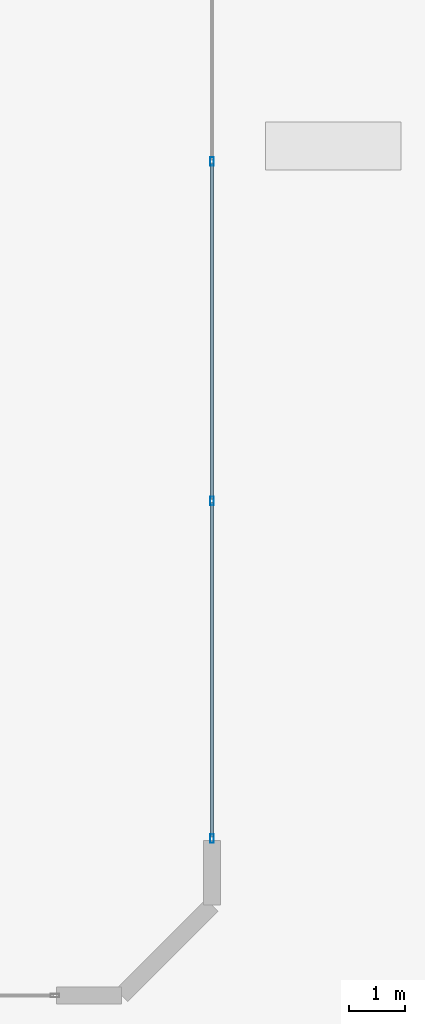
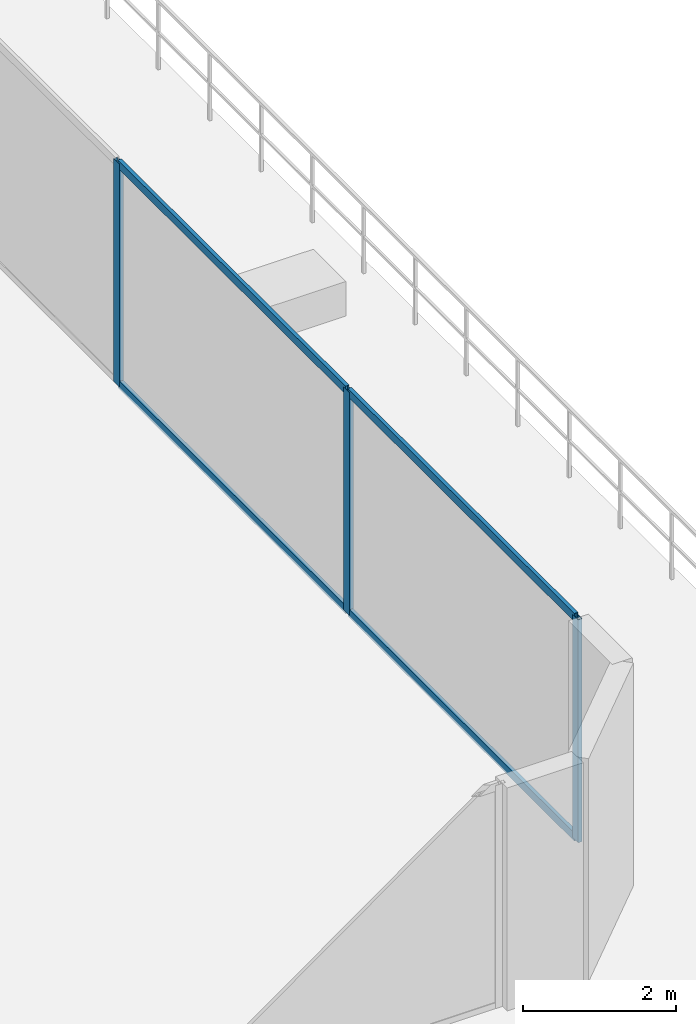
# One storey, part 6 of 19: 7 members, 1 element without a shape of its own.
"""IFC4 building model written with IfcOpenShell, lengths in metres."""

from ifc_helpers import new_model, si_unit, direction, frame, origin, origin_2d, place, context, subcontext, project, spatial, hollow_rectangle, extrude, material, layer, layer_set, material_profile, profile_set, type_object, element, aggregate, save


model = new_model("IFC4")

# Units and contexts
model_context = context("Model", 3, precision=1e-05, world=origin(), true_north=direction((0.0, 1.0)))
body_context = subcontext(model_context, "Body", "Model", "MODEL_VIEW")
ifc_project = project(units=[si_unit("LENGTHUNIT", "METRE"), si_unit("AREAUNIT", "SQUARE_METRE"), si_unit("VOLUMEUNIT", "CUBIC_METRE"), si_unit("PLANEANGLEUNIT", "RADIAN"), si_unit("MASSUNIT", "GRAM", prefix="KILO")], contexts=[model_context])

# Site, building, storey
site_placement = place(None, origin())
site = spatial("IfcSite", under=ifc_project, at=site_placement, CompositionType="ELEMENT")
building_placement = place(site_placement, origin())
building = spatial("IfcBuilding", under=site, at=building_placement, Name="Zuhayl Quay Hotel", CompositionType="ELEMENT")
storey_placement = place(building_placement, frame((0.0, 0.0, 304.85009765625)))
storey = spatial("IfcBuildingStorey", under=building, at=storey_placement, Name="Crown 3", CompositionType="ELEMENT", Elevation=304.85009765625)

# Curtain wall, members
ifc_material_1 = material(Name="Anodised Aluminium 6063-T6", Category="aluminium")
ifc_layer = layer(ifc_material_1, 0.159912109375, Name="Anodised Aluminium 6063-T6", Category="aluminium")
ifc_layer_set = layer_set([ifc_layer], Name="Anodised Aluminium 6063-T6")
curtain_wall_type = type_object("IfcCurtainWallType", Name="CW_SYS_CRN", PredefinedType="USERDEFINED", material=ifc_layer_set)
curtain_wall_placement = place(storey_placement, origin())
curtain_wall = element("IfcCurtainWall", 1, at=curtain_wall_placement, inside=storey, type_object=curtain_wall_type, Name="Crown 3 Curtain Wall ENV_CR3_E5_CW1", ObjectType="UNITISED CURTAIN WALL", PredefinedType="USERDEFINED")
ifc_material_2 = material(Name="Black-anodised aluminium 6063-T6", Category="aluminium")
ifc_material_profile_1 = material_profile(ifc_material_2, hollow_rectangle(XDim=0.06005859375, YDim=0.14990234375, WallThickness=0.00341796875, at=origin_2d()), Name="ALU150X60")
ifc_profile_set_1 = profile_set([ifc_material_profile_1], Name="Black-anodised aluminium 6063-T6")
member_type_1 = type_object("IfcMemberType", Name="MB_CW_MUL_150", PredefinedType="MULLION", material=ifc_profile_set_1)
member_1_placement = place(storey_placement, frame((12.60009765625, 22.97509765625, 0.0), z_axis=(0.0, 0.0, 1.0), x_axis=(1.0, 0.0, 0.0)))
member_1 = element("IfcMember", 2, at=member_1_placement, type_object=member_type_1, Name="CW-CRN mullion 3", PredefinedType="MULLION", context=body_context, shape_type="SweptSolid", body=[
    extrude(hollow_rectangle(XDim=0.06005859375, YDim=0.14990234375, WallThickness=0.00341796875, at=origin_2d()), origin(), (0.0, 0.0, 1.0), 3.559814453125),
])
member_2_placement = place(storey_placement, frame((12.60009765625, 16.96240234375, 0.0), z_axis=(0.0, 0.0, 1.0), x_axis=(1.0, 0.0, 0.0)))
member_2 = element("IfcMember", 3, at=member_2_placement, type_object=member_type_1, Name="CW-CRN mullion 4", PredefinedType="MULLION", context=body_context, shape_type="SweptSolid", body=[
    extrude(hollow_rectangle(XDim=0.06005859375, YDim=0.14990234375, WallThickness=0.00341796875, at=origin_2d()), origin(), (0.0, 0.0, 1.0), 3.559814453125),
])
member_3_placement = place(storey_placement, frame((12.60009765625, 10.97998046875, 0.0), z_axis=(0.0, 0.0, 1.0), x_axis=(1.0, 0.0, 0.0)))
member_3 = element("IfcMember", 4, at=member_3_placement, type_object=member_type_1, Name="CW-CRN mullion 5", PredefinedType="MULLION", context=body_context, shape_type="SweptSolid", body=[
    extrude(hollow_rectangle(XDim=0.06005859375, YDim=0.14990234375, WallThickness=0.00341796875, at=origin_2d()), origin(), (0.0, 0.0, 1.0), 3.559814453125),
])
ifc_material_profile_2 = material_profile(ifc_material_2, hollow_rectangle(XDim=0.054931640625, YDim=0.1298828125, WallThickness=0.0029296875, at=origin_2d()), Name="ALU130X55")
ifc_profile_set_2 = profile_set([ifc_material_profile_2], Name="Black-anodised aluminium 6063-T6")
member_type_2 = type_object("IfcMemberType", Name="MB_CW_TRN_130", PredefinedType="USERDEFINED", material=ifc_profile_set_2)
member_4_placement = place(storey_placement, frame((12.60009765625, 22.945068359375, 0.02734375), z_axis=(0.0, -1.0, 0.0), x_axis=(1.0, 0.0, 0.0)))
member_4 = element("IfcMember", 5, at=member_4_placement, type_object=member_type_2, Name="CW-CRN transom 3.1", ObjectType="TRANSOM", PredefinedType="USERDEFINED", context=body_context, shape_type="SweptSolid", body=[
    extrude(hollow_rectangle(XDim=0.054931640625, YDim=0.1298828125, WallThickness=0.0029296875, at=origin_2d()), origin(), (0.0, 0.0, 1.0), 5.95263671875),
])
member_5_placement = place(storey_placement, frame((12.60009765625, 22.945068359375, 3.532470703125), z_axis=(0.0, -1.0, 0.0), x_axis=(1.0, 0.0, 0.0)))
member_5 = element("IfcMember", 6, at=member_5_placement, type_object=member_type_2, Name="CW-CRN transom 3.2", ObjectType="TRANSOM", PredefinedType="USERDEFINED", context=body_context, shape_type="SweptSolid", body=[
    extrude(hollow_rectangle(XDim=0.054931640625, YDim=0.1298828125, WallThickness=0.0029296875, at=origin_2d()), origin(), (0.0, 0.0, 1.0), 5.95263671875),
])
member_6_placement = place(storey_placement, frame((12.60009765625, 16.9326171875, 0.02734375), z_axis=(0.0, -1.0, 0.0), x_axis=(1.0, 0.0, 0.0)))
member_6 = element("IfcMember", 7, at=member_6_placement, type_object=member_type_2, Name="CW-CRN transom 4.1", ObjectType="TRANSOM", PredefinedType="USERDEFINED", context=body_context, shape_type="SweptSolid", body=[
    extrude(hollow_rectangle(XDim=0.054931640625, YDim=0.1298828125, WallThickness=0.0029296875, at=origin_2d()), origin(), (0.0, 0.0, 1.0), 5.922607421875),
])
member_7_placement = place(storey_placement, frame((12.60009765625, 16.9326171875, 3.532470703125), z_axis=(0.0, -1.0, 0.0), x_axis=(1.0, 0.0, 0.0)))
member_7 = element("IfcMember", 8, at=member_7_placement, type_object=member_type_2, Name="CW-CRN transom 4.2", ObjectType="TRANSOM", PredefinedType="USERDEFINED", context=body_context, shape_type="SweptSolid", body=[
    extrude(hollow_rectangle(XDim=0.054931640625, YDim=0.1298828125, WallThickness=0.0029296875, at=origin_2d()), origin(), (0.0, 0.0, 1.0), 5.922607421875),
])
aggregate(curtain_wall, [member_1, member_2, member_3, member_4, member_5, member_6, member_7])

save(model, "model.ifc")
